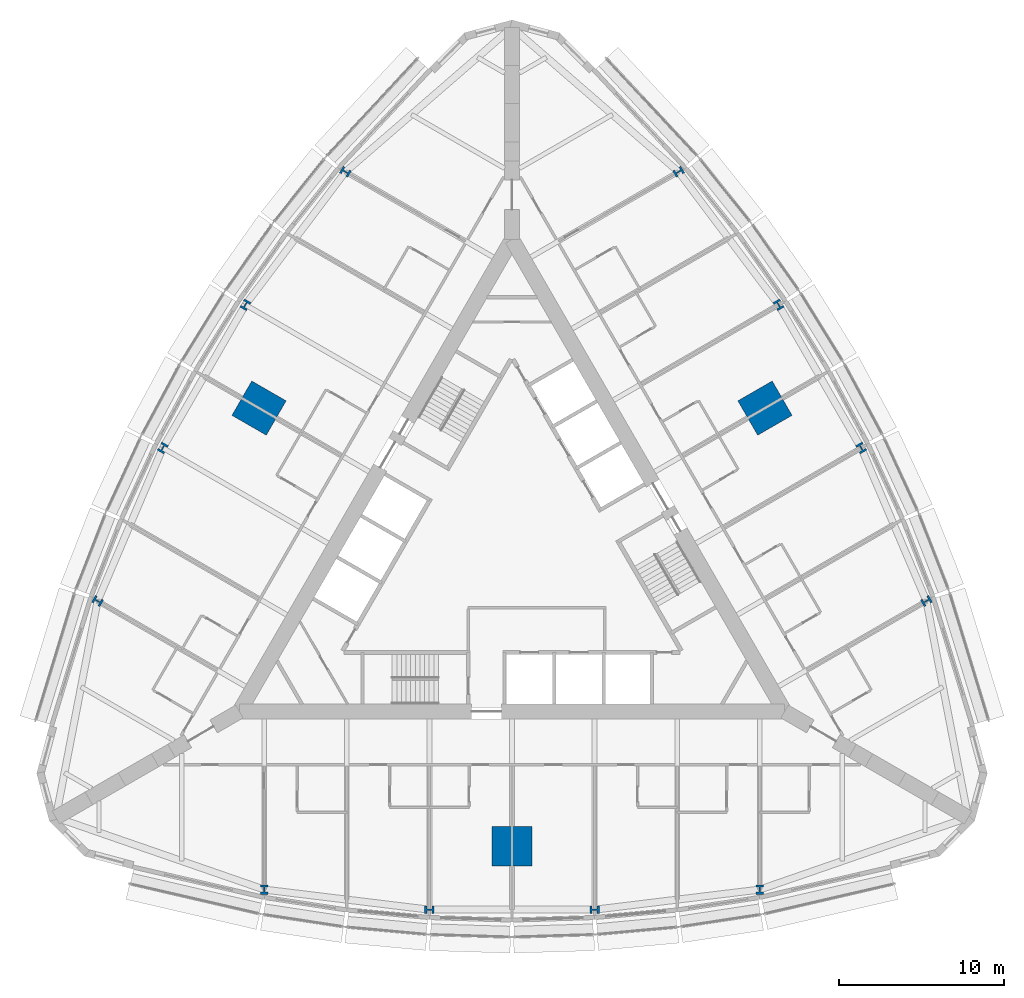
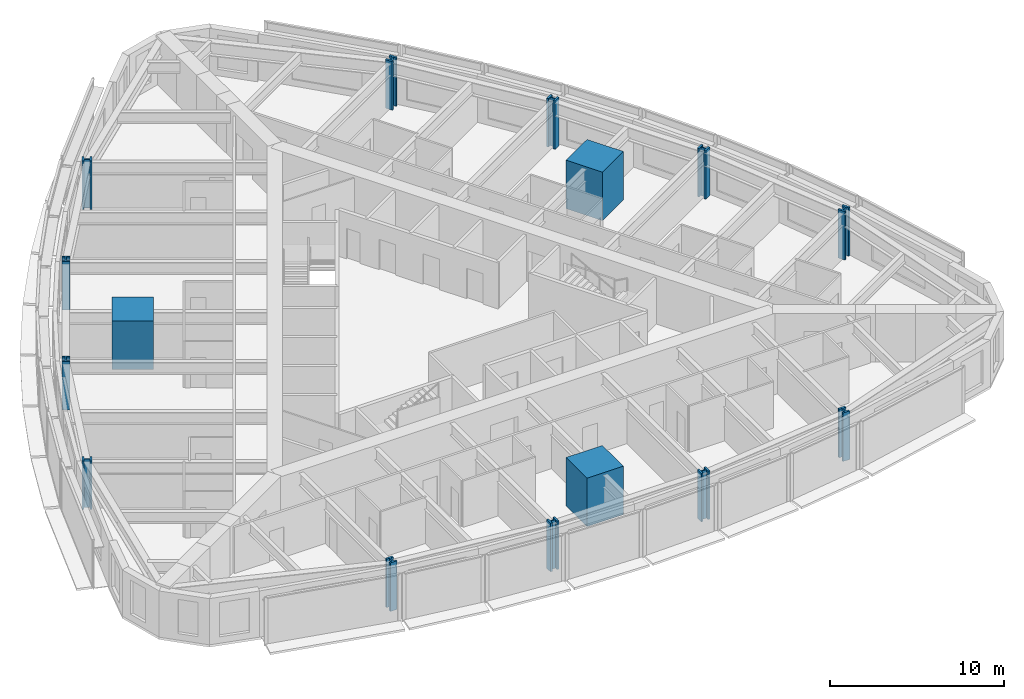
# One storey, part 1 of 14: 15 columns.
"""IFC4 building model written with IfcOpenShell, lengths in metres."""

from ifc_helpers import new_model, si_unit, direction, frame, origin, origin_2d, place, context, subcontext, project, spatial, rectangle, i_section, extrude, material, material_profile, profile_set, type_object, element, save


model = new_model("IFC4")

# Units and contexts
model_context = context("Model", 3, precision=1e-05, world=origin(), true_north=direction((0.0, 1.0)))
body_context = subcontext(model_context, "Body", "Model", "MODEL_VIEW")
ifc_project = project(units=[si_unit("LENGTHUNIT", "METRE"), si_unit("AREAUNIT", "SQUARE_METRE"), si_unit("VOLUMEUNIT", "CUBIC_METRE"), si_unit("PLANEANGLEUNIT", "RADIAN"), si_unit("MASSUNIT", "GRAM", prefix="KILO")], contexts=[model_context])

# Site, building, storey
site_placement = place(None, origin())
site = spatial("IfcSite", under=ifc_project, at=site_placement, CompositionType="ELEMENT")
building_placement = place(site_placement, origin())
building = spatial("IfcBuilding", under=site, at=building_placement, Name="Trikona Tower", CompositionType="ELEMENT")
storey_placement = place(building_placement, frame((0.0, 0.0, 28.5)))
storey = spatial("IfcBuildingStorey", under=building, at=storey_placement, Name="L05", CompositionType="ELEMENT", Elevation=28.5)

# Columns
ifc_material_1 = material(Name="Concrete f'c 10000 psi with encased steel section", Category="concrete")
ifc_material_profile_1 = material_profile(ifc_material_1, rectangle(XDim=2.39990234375, YDim=2.39990234375, at=origin_2d()), Name="MC2400")
ifc_profile_set_1 = profile_set([ifc_material_profile_1], Name="Concrete f'c 10000 psi with encased steel section")
column_type_1 = type_object("IfcColumnType", Name="Composite mega column 2400x2400", PredefinedType="COLUMN", material=ifc_profile_set_1)
for number, where, z_axis, x_axis, name in (
    (1, (0.0, -17.680419921875, 0.0), (0.0, 0.0, 1.0), (0.0, -1.0, 0.0), "Mega column MC1"),
    (2, (15.311767578125, 8.84033203125, 0.0), (0.0, 0.0, 1.0), (0.866025403784, 0.5, 0.0), "Mega column MC2"),
    (3, (-15.311767578125, 8.84033203125, 0.0), (0.0, 0.0, 1.0), (-0.866025403784, 0.5, 0.0), "Mega column MC3"),
):
    element("IfcColumn", number, at=place(storey_placement, frame(where, z_axis=z_axis, x_axis=x_axis)), inside=storey, type_object=column_type_1, Name=name, PredefinedType="COLUMN", context=body_context, shape_type="SweptSolid", body=[
        extrude(rectangle(XDim=2.39990234375, YDim=2.39990234375, at=origin_2d()), origin(), (0.0, 0.0, 1.0), 3.39990234375),
    ])
ifc_material_2 = material(Name="Steel ASTM A992 Grade 50", Category="steel")
ifc_material_profile_2 = material_profile(ifc_material_2, i_section(OverallWidth=0.45458984375, OverallDepth=0.56884765625, WebThickness=0.077880859375, FlangeThickness=0.124755859375, at=origin_2d()), Name="W14X730")
ifc_profile_set_2 = profile_set([ifc_material_profile_2], Name="Steel ASTM A992 Grade 50")
column_type_2 = type_object("IfcColumnType", Name="Steel column W14x730", PredefinedType="COLUMN", material=ifc_profile_set_2)
for number, where, z_axis, x_axis, name in (
    (4, (-15.0, -20.302978515625, 0.0), (0.0, 0.0, 1.0), (1.0, 0.0, 0.0), "Column F0m15"),
    (5, (-5.0, -21.5205078125, 0.0), (0.0, 0.0, 1.0), (0.0, -1.0, 0.0), "Column F0m5"),
    (6, (5.0, -21.5205078125, 0.0), (0.0, 0.0, 1.0), (0.0, -1.0, 0.0), "Column F0p5"),
    (7, (15.0, -20.302978515625, 0.0), (0.0, 0.0, 1.0), (1.0, 0.0, 0.0), "Column F0p15"),
    (8, (25.0830078125, -2.8388671875, 0.0), (0.0, 0.0, 1.0), (-0.5, 0.866025403784, 0.0), "Column F1m15"),
    (9, (21.13720703125, 6.43017578125, 0.0), (0.0, 0.0, 1.0), (0.866025403784, 0.5, 0.0), "Column F1m5"),
    (10, (16.13720703125, 15.09033203125, 0.0), (0.0, 0.0, 1.0), (0.866025403784, 0.5, 0.0), "Column F1p5"),
    (11, (10.0830078125, 23.141845703125, 0.0), (0.0, 0.0, 1.0), (-0.5, 0.866025403784, 0.0), "Column F1p15"),
    (12, (-10.0830078125, 23.141845703125, 0.0), (0.0, 0.0, 1.0), (-0.5, -0.866025403784, 0.0), "Column F2m15"),
    (13, (-16.13720703125, 15.09033203125, 0.0), (0.0, 0.0, 1.0), (-0.866025403784, 0.5, 0.0), "Column F2m5"),
    (14, (-21.13720703125, 6.43017578125, 0.0), (0.0, 0.0, 1.0), (-0.866025403784, 0.5, 0.0), "Column F2p5"),
    (15, (-25.0830078125, -2.8388671875, 0.0), (0.0, 0.0, 1.0), (-0.5, -0.866025403784, 0.0), "Column F2p15"),
):
    element("IfcColumn", number, at=place(storey_placement, frame(where, z_axis=z_axis, x_axis=x_axis)), inside=storey, type_object=column_type_2, Name=name, PredefinedType="COLUMN", context=body_context, shape_type="SweptSolid", body=[
        extrude(i_section(OverallWidth=0.45458984375, OverallDepth=0.56884765625, WebThickness=0.077880859375, FlangeThickness=0.124755859375, at=origin_2d()), origin(), (0.0, 0.0, 1.0), 3.39990234375),
    ])

save(model, "model.ifc")
